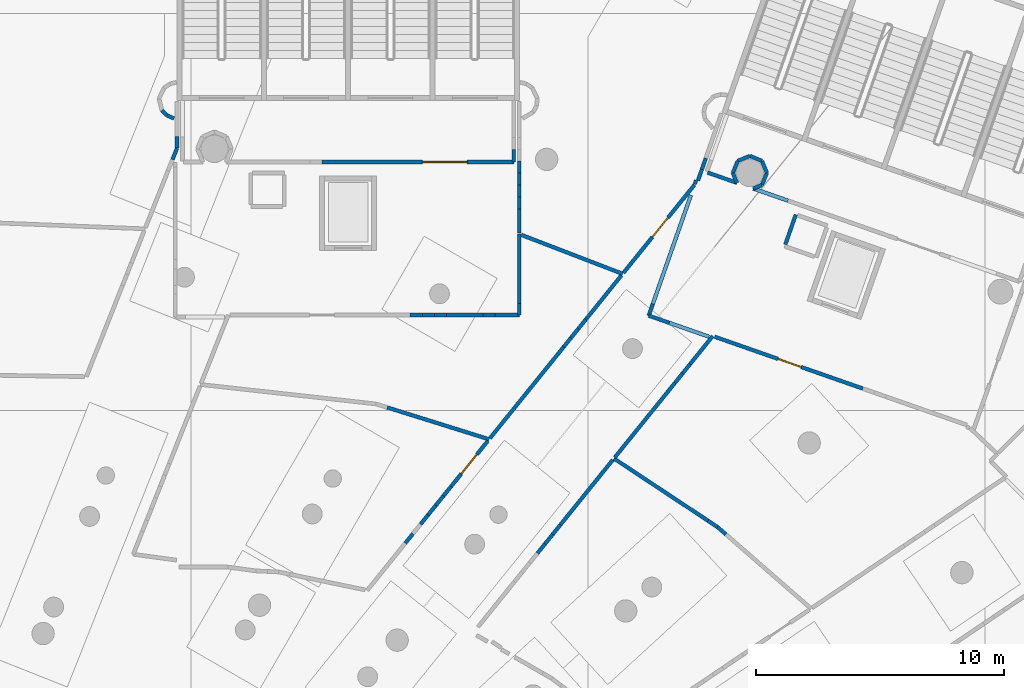
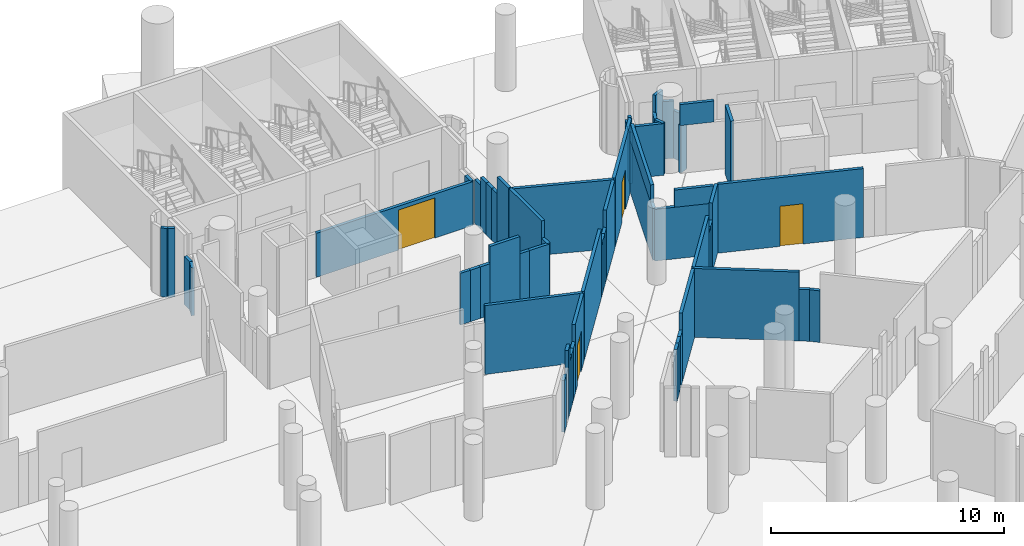
# One storey, part 90 of 142: 62 walls, 4 doors, 4 openings.
"""IFC4 building model written with IfcOpenShell, lengths in metres."""

import ifcopenshell
import ifcopenshell.guid

model = None  # the IFC model being written
_history = None  # IfcOwnerHistory: only IFC2X3 demands one
_inside = {}  # id of a spatial element -> (the spatial element, [elements in it])
_under = {}  # id of a project, library or spatial element -> (it, [spatial elements below it])
_declared = {}  # id of a project -> (the project, [libraries it declares])
_typed = {}  # id of a type object -> (the type object, [elements of that type])
_made_of = {}  # id of a material, layer set ... -> (it, [elements and type objects made of it])


def new_model(schema):
    """Start an empty IFC model of exactly this schema.

    Asked for "IFC4X3", IfcOpenShell would pick the latest addendum, in which some entities
    have other attributes; the version numbers below select the first issue.
    IFC2X3 requires an IfcOwnerHistory on every rooted entity: one is made here for all.
    """
    global model, _history
    if schema == "IFC4X3":
        model = ifcopenshell.file(schema_version=(4, 3, 0, 0))
    else:
        model = ifcopenshell.file(schema=schema)
    _inside.clear()
    _under.clear()
    _declared.clear()
    _typed.clear()
    _made_of.clear()
    _history = None
    if model.schema == "IFC2X3":
        org = make("IfcOrganization", Name="unknown")
        user = make(
            "IfcPersonAndOrganization",
            ThePerson=make("IfcPerson", FamilyName="unknown"),
            TheOrganization=org,
        )
        app = make(
            "IfcApplication",
            ApplicationDeveloper=org,
            Version="unknown",
            ApplicationFullName="unknown",
            ApplicationIdentifier="unknown",
        )
        _history = make(
            "IfcOwnerHistory",
            OwningUser=user,
            OwningApplication=app,
            ChangeAction="ADDED",
            CreationDate=0,
        )
    return model


def make(cls, **values):
    """One entity of the class cls with the attributes given. An attribute that is None is left unset."""
    return model.create_entity(
        cls, **{name: value for name, value in values.items() if value is not None}
    )


def rooted(cls, **values):
    """An entity with a GlobalId (a new one), such as an element, a storey or a relation."""
    return make(cls, GlobalId=ifcopenshell.guid.new(), OwnerHistory=_history, **values)


def si_unit(unit_type, name, prefix=None):
    """IfcSIUnit, for example si_unit("LENGTHUNIT", "METRE", prefix="MILLI")."""
    return make("IfcSIUnit", UnitType=unit_type, Prefix=prefix, Name=name)


def assignment(units):
    """IfcUnitAssignment: the units of a project."""
    return None if units is None else make("IfcUnitAssignment", Units=units)


def point(xyz):
    """IfcCartesianPoint."""
    return None if xyz is None else make("IfcCartesianPoint", Coordinates=xyz)


def direction(xyz):
    """IfcDirection."""
    return None if xyz is None else make("IfcDirection", DirectionRatios=xyz)


def frame(location, z_axis=None, x_axis=None):
    """IfcAxis2Placement3D, a coordinate frame: its origin and axes. An axis left out is left unset."""
    return make(
        "IfcAxis2Placement3D",
        Location=point(location),
        Axis=direction(z_axis),
        RefDirection=direction(x_axis),
    )


def frame_2d(location, x_axis=None):
    """IfcAxis2Placement2D, a coordinate frame in the plane: its origin and x axis."""
    return make(
        "IfcAxis2Placement2D", Location=point(location), RefDirection=direction(x_axis)
    )


def origin():
    """The frame at (0, 0, 0) with its axes left unset."""
    return frame((0.0, 0.0, 0.0))


def place(relative_to, where):
    """IfcLocalPlacement: puts the frame where relative to a parent placement (None: the world)."""
    return make(
        "IfcLocalPlacement", PlacementRelTo=relative_to, RelativePlacement=where
    )


def context(
    kind, dimensions, precision=None, world=None, true_north=None, identifier=None
):
    """IfcGeometricRepresentationContext, for example the 3D "Model" context."""
    return make(
        "IfcGeometricRepresentationContext",
        ContextIdentifier=identifier,
        ContextType=kind,
        CoordinateSpaceDimension=dimensions,
        Precision=precision,
        WorldCoordinateSystem=world,
        TrueNorth=true_north,
    )


def subcontext(parent, identifier, kind, view, scale=None):
    """IfcGeometricRepresentationSubContext, for example "Body" below "Model"."""
    return make(
        "IfcGeometricRepresentationSubContext",
        ContextIdentifier=identifier,
        ContextType=kind,
        ParentContext=parent,
        TargetScale=scale,
        TargetView=view,
    )


def project(units=None, contexts=None):
    """IfcProject with its units and contexts."""
    return rooted(
        "IfcProject",
        Name="project",
        RepresentationContexts=contexts,
        UnitsInContext=assignment(units),
    )


def spatial(cls, under=None, at=None, **own):
    """A site, building, storey or space (cls), placed at a placement, below another one or the project."""
    s = rooted(cls, ObjectPlacement=at, **own)
    if under is not None:
        _under.setdefault(under.id(), (under, []))[1].append(s)
    return s


def profile(cls, at=None, kind="AREA", **sizes):
    """A parametric profile (cls). Its sizes go by their IFC names, for example OverallWidth=200.0."""
    return make(cls, ProfileType=kind, Position=at, **sizes)


def rectangle(**sizes):
    """IfcRectangleProfileDef."""
    return profile("IfcRectangleProfileDef", **sizes)


def extrude(swept, where, along, depth):
    """IfcExtrudedAreaSolid: the profile swept, set in the frame where, extruded along a direction by depth."""
    return make(
        "IfcExtrudedAreaSolid",
        SweptArea=swept,
        Position=where,
        ExtrudedDirection=direction(along),
        Depth=depth,
    )


def shape(context_of_items, identifier, shape_type, items):
    """IfcShapeRepresentation: the items that make up one representation, for example the "Body"."""
    return make(
        "IfcShapeRepresentation",
        ContextOfItems=context_of_items,
        RepresentationIdentifier=identifier,
        RepresentationType=shape_type,
        Items=items,
    )


def material(Name=None, Category=None):
    """IfcMaterial."""
    return make("IfcMaterial", Name=Name, Category=Category)


def layer(
    of_material, thickness, ventilated=None, Name=None, Category=None, Priority=None
):
    """IfcMaterialLayer: one layer of a wall or slab, of a material (None: an air gap)."""
    return make(
        "IfcMaterialLayer",
        Material=of_material,
        LayerThickness=thickness,
        IsVentilated=ventilated,
        Name=Name,
        Category=Category,
        Priority=Priority,
    )


def layer_set(layers, Name=None):
    """IfcMaterialLayerSet."""
    return make("IfcMaterialLayerSet", MaterialLayers=layers, LayerSetName=Name)


def made_of(thing, what):
    """Note that an element or type object is made of a material, layer set ...; save() writes the relation."""
    if what is not None:
        _made_of.setdefault(what.id(), (what, []))[1].append(thing)
    return thing


def type_object(cls, material=None, **own):
    """A type object (cls), such as IfcWallType, which elements share."""
    return made_of(rooted(cls, **own), material)


def element(
    cls,
    number,
    at=None,
    inside=None,
    cuts=None,
    type_object=None,
    material=None,
    context=None,
    identifier="Body",
    shape_type=None,
    held_by="IfcProductDefinitionShape",
    body=None,
    shapes=None,
    **own,
):
    """One element of the class cls, such as IfcWall. Its Tag is "e" and its number.

    at: its placement. inside: the storey or other place that contains it. cuts: it is an
    opening in that element (IfcRelVoidsElement). A single representation is given by context,
    identifier, shape_type and body (its items); several are given by shapes. held_by: the class
    of the entity that holds the representations. save() writes the other relations.
    """
    e = rooted(cls, Tag="e%d" % number, ObjectPlacement=at, **own)
    if body is not None:
        shapes = [shape(context, identifier, shape_type, body)]
    if shapes is not None:
        e.Representation = make(held_by, Representations=shapes)
    if inside is not None:
        _inside.setdefault(inside.id(), (inside, []))[1].append(e)
    if cuts is not None:
        rooted(
            "IfcRelVoidsElement", RelatingBuildingElement=cuts, RelatedOpeningElement=e
        )
    if type_object is not None:
        _typed.setdefault(type_object.id(), (type_object, []))[1].append(e)
    return made_of(e, material)


def fill(opening, filler):
    """IfcRelFillsElement: the door or window that sits in an opening."""
    return rooted(
        "IfcRelFillsElement",
        RelatingOpeningElement=opening,
        RelatedBuildingElement=filler,
    )


def aggregate(whole, parts):
    """IfcRelAggregates: a whole, such as a stair, and the parts it consists of."""
    return rooted("IfcRelAggregates", RelatingObject=whole, RelatedObjects=parts)


def save(model, path):
    """Write the relations noted so far, then the file.

    IfcRelAggregates (storeys below a building ...), IfcRelContainedInSpatialStructure (elements
    in a storey), IfcRelDefinesByType, IfcRelAssociatesMaterial and IfcRelDeclares: one each for
    every whole, place, type object, material and project.
    """
    for whole, parts in _under.values():
        aggregate(whole, parts)
    for where, things in _inside.values():
        rooted(
            "IfcRelContainedInSpatialStructure",
            RelatedElements=things,
            RelatingStructure=where,
        )
    for kind, things in _typed.values():
        rooted("IfcRelDefinesByType", RelatedObjects=things, RelatingType=kind)
    for what, things in _made_of.values():
        rooted("IfcRelAssociatesMaterial", RelatedObjects=things, RelatingMaterial=what)
    for by, libraries in _declared.values():
        rooted("IfcRelDeclares", RelatingContext=by, RelatedDefinitions=libraries)
    model.write(path)


model = new_model("IFC4")

# Units and contexts
model_context = context("Model", 3, precision=1e-05, world=origin(), true_north=direction((0.0, 1.0)))
body_context = subcontext(model_context, "Body", "Model", "MODEL_VIEW")
ifc_project = project(units=[si_unit("LENGTHUNIT", "METRE"), si_unit("AREAUNIT", "SQUARE_METRE"), si_unit("VOLUMEUNIT", "CUBIC_METRE"), si_unit("PLANEANGLEUNIT", "RADIAN"), si_unit("MASSUNIT", "GRAM", prefix="KILO")], contexts=[model_context])

# Site, building, storey
site_placement = place(None, origin())
site = spatial("IfcSite", under=ifc_project, at=site_placement, CompositionType="ELEMENT")
building_placement = place(site_placement, origin())
building = spatial("IfcBuilding", under=site, at=building_placement, Name="Meseta Stadium", CompositionType="ELEMENT")
storey_placement = place(building_placement, frame((0.0, 0.0, -4.0)))
storey = spatial("IfcBuildingStorey", under=building, at=storey_placement, Name="B1", CompositionType="ELEMENT", Elevation=-4.0)

# Walls
ifc_material_1 = material(Name="Masonry blockwork", Category="masonry")
ifc_layer = layer(ifc_material_1, 0.14990234375)
ifc_layer_set = layer_set([ifc_layer], Name="Partition 150")
wall_type = type_object("IfcWallType", Name="Partition 150", PredefinedType="PARTITIONING", material=ifc_layer_set)
wall_1_placement = place(storey_placement, frame((49.044677734375, 78.07080078125, 0.0), z_axis=(0.0, 0.0, 1.0), x_axis=(0.8339449215, -0.551847685421, 0.0)))
element("IfcWall", 1, at=wall_1_placement, inside=storey, type_object=wall_type, Name="Partition B1 B1-cell06-1-0", PredefinedType="PARTITIONING", context=body_context, shape_type="SweptSolid", body=[
    extrude(rectangle(XDim=4.5478515625, YDim=0.14990234375, at=frame_2d((2.27392578125, 0.0))), origin(), (0.0, 0.0, 1.0), 3.60009765625),
])
for number, where, z_axis, x_axis, name in (
    (2, (52.83740234375, 75.56103515625, 0.0), (0.0, 0.0, 1.0), (0.83402663405, -0.551724182627, 0.0), "Partition B1 B1-cell06-1-0"),
    (3, (53.216796875, 75.31005859375, 0.0), (0.0, 0.0, 1.0), (0.754004426254, -0.656869336466, 0.0), "Partition B1 B1-cell06-1-0"),
):
    element("IfcWall", number, at=place(storey_placement, frame(where, z_axis=z_axis, x_axis=x_axis)), inside=storey, type_object=wall_type, Name=name, PredefinedType="PARTITIONING", context=body_context, shape_type="SweptSolid", body=[
        extrude(rectangle(XDim=0.454833984375, YDim=0.14990234375, at=frame_2d((0.2275390625, 0.0))), origin(), (0.0, 0.0, 1.0), 2.699951171875),
    ])
for number, where, z_axis, x_axis, name in (
    (4, (45.9609375, 74.25, 0.0), (0.0, 0.0, 1.0), (0.628024551218, 0.77819352546, 0.0), "Partition B1 B1-cell06-1-0"),
    (5, (46.269287109375, 74.632080078125, 0.0), (0.0, 0.0, 1.0), (0.628024551218, 0.77819352546, 0.0), "Partition B1 B1-cell06-1-0"),
    (6, (46.57763671875, 75.01416015625, 0.0), (0.0, 0.0, 1.0), (0.628024551218, 0.77819352546, 0.0), "Partition B1 B1-cell06-1-0"),
):
    element("IfcWall", number, at=place(storey_placement, frame(where, z_axis=z_axis, x_axis=x_axis)), inside=storey, type_object=wall_type, Name=name, PredefinedType="PARTITIONING", context=body_context, shape_type="SweptSolid", body=[
        extrude(rectangle(XDim=0.490966796875, YDim=0.14990234375, at=frame_2d((0.24560546875, 0.0))), origin(), (0.0, 0.0, 1.0), 2.699951171875),
    ])
wall_2_placement = place(storey_placement, frame((46.885986328125, 75.396240234375, 0.0), z_axis=(0.0, 0.0, 1.0), x_axis=(0.628054760776, 0.778169144509, 0.0)))
element("IfcWall", 7, at=wall_2_placement, inside=storey, type_object=wall_type, Name="Partition B1 B1-cell06-1-0", PredefinedType="PARTITIONING", context=body_context, shape_type="SweptSolid", body=[
    extrude(rectangle(XDim=3.361572265625, YDim=0.14990234375, at=frame_2d((1.6806640625, 0.0))), origin(), (0.0, 0.0, 1.0), 3.60009765625),
])
wall_3_placement = place(storey_placement, frame((49.076416015625, 78.110107421875, 0.0), z_axis=(0.0, 0.0, 1.0), x_axis=(0.62801256648, 0.778203197335, 0.0)))
element("IfcWall", 8, at=wall_3_placement, inside=storey, type_object=wall_type, Name="Partition B1 B1-cell06-2-0", PredefinedType="PARTITIONING", context=body_context, shape_type="SweptSolid", body=[
    extrude(rectangle(XDim=3.870361328125, YDim=0.14990234375, at=frame_2d((1.93505859375, 0.0))), origin(), (0.0, 0.0, 1.0), 3.60009765625),
])
wall_4_placement = place(storey_placement, frame((51.507080078125, 81.1220703125, 0.0), z_axis=(0.0, 0.0, 1.0), x_axis=(0.628196159022, 0.778055001777, 0.0)))
element("IfcWall", 9, at=wall_4_placement, inside=storey, type_object=wall_type, Name="Partition B1 B1-cell06-2-0", PredefinedType="PARTITIONING", context=body_context, shape_type="SweptSolid", body=[
    extrude(rectangle(XDim=0.48388671875, YDim=0.14990234375, at=frame_2d((0.241943359375, 0.0))), origin(), (0.0, 0.0, 1.0), 2.699951171875),
])
wall_5_placement = place(storey_placement, frame((51.81103515625, 81.49853515625, 0.0), z_axis=(0.0, 0.0, 1.0), x_axis=(0.627949602463, 0.778254005301, 0.0)))
element("IfcWall", 10, at=wall_5_placement, inside=storey, type_object=wall_type, Name="Partition B1 B1-cell06-2-0", PredefinedType="PARTITIONING", context=body_context, shape_type="SweptSolid", body=[
    extrude(rectangle(XDim=0.484130859375, YDim=0.14990234375, at=frame_2d((0.2421875, 0.0))), origin(), (0.0, 0.0, 1.0), 2.699951171875),
])
wall_6_placement = place(storey_placement, frame((52.114990234375, 81.875244140625, 0.0), z_axis=(0.0, 0.0, 1.0), x_axis=(0.628094324718, 0.778137211073, 0.0)))
element("IfcWall", 11, at=wall_6_placement, inside=storey, type_object=wall_type, Name="Partition B1 B1-cell06-2-0", PredefinedType="PARTITIONING", context=body_context, shape_type="SweptSolid", body=[
    extrude(rectangle(XDim=1.451416015625, YDim=0.14990234375, at=frame_2d((0.7255859375, 0.0))), origin(), (0.0, 0.0, 1.0), 3.60009765625),
])

# Wall, opening, door
wall_7_placement = place(storey_placement, frame((53.101806640625, 82.978515625, 0.0), z_axis=(0.0, 0.0, 1.0), x_axis=(0.943872187269, -0.33031090521, 0.0)))
wall_7 = element("IfcWall", 12, at=wall_7_placement, inside=storey, type_object=wall_type, Name="Partition B1 B1-cell06-2-0", PredefinedType="PARTITIONING", context=body_context, shape_type="SweptSolid", body=[
    extrude(rectangle(XDim=6.3291015625, YDim=0.14990234375, at=frame_2d((3.16455078125, 0.0))), origin(), (0.0, 0.0, 1.0), 3.60009765625),
])
opening_1_placement = place(wall_7_placement, frame((2.699951171875, 0.0, 0.0)))
opening_1 = element("IfcOpeningElement", 13, at=opening_1_placement, cuts=wall_7, Name="Opening D452", PredefinedType="OPENING", context=body_context, shape_type="SweptSolid", body=[
    extrude(rectangle(XDim=1.0, YDim=2.10009765625, at=frame_2d((0.5, 1.050048828125))), frame((0.0, 0.0849609375, 0.0), z_axis=(0.0, -1.0, 0.0), x_axis=(1.0, 0.0, 0.0)), (0.0, 0.0, 1.0), 0.169921875),
])
ifc_material_2 = material(Name="Steel", Category="steel")
door_type_1 = type_object("IfcDoorType", Name="Fire door 1000x2100 EI2 120", OperationType="NOTDEFINED", PredefinedType="DOOR", material=ifc_material_2)
door_1_placement = place(opening_1_placement, origin())
door_1 = element("IfcDoor", 14, at=door_1_placement, inside=storey, type_object=door_type_1, Name="Door D452", OperationType="SINGLE_SWING_RIGHT", OverallHeight=2.10009765625, OverallWidth=1.0, PredefinedType="DOOR", context=body_context, shape_type="SweptSolid", body=[
    extrude(rectangle(XDim=1.0, YDim=2.10009765625, at=frame_2d((0.5, 1.050048828125))), frame((0.0, 0.02490234375, 0.0), z_axis=(0.0, -1.0, 0.0), x_axis=(1.0, 0.0, 0.0)), (0.0, 0.0, 1.0), 0.050048828125),
])
fill(opening_1, door_1)

# Wall
wall_8_placement = place(storey_placement, frame((39.906982421875, 80.12744140625, 0.0), z_axis=(0.0, 0.0, 1.0), x_axis=(0.954509247754, -0.29818131389, 0.0)))
element("IfcWall", 15, at=wall_8_placement, inside=storey, type_object=wall_type, Name="Partition B1 B1-cell07-1-0", PredefinedType="PARTITIONING", context=body_context, shape_type="SweptSolid", body=[
    extrude(rectangle(XDim=4.303466796875, YDim=0.14990234375, at=frame_2d((2.15185546875, 0.0))), origin(), (0.0, 0.0, 1.0), 3.60009765625),
])

# Wall, opening, door
wall_9_placement = place(storey_placement, frame((43.964111328125, 78.781494140625, 0.0), z_axis=(0.0, 0.0, 1.0), x_axis=(-0.628039015817, -0.77818185189, 0.0)))
wall_9 = element("IfcWall", 16, at=wall_9_placement, inside=storey, type_object=wall_type, Name="Partition B1 B1-cell07-1-0", PredefinedType="PARTITIONING", context=body_context, shape_type="SweptSolid", body=[
    extrude(rectangle(XDim=2.3642578125, YDim=0.14990234375, at=frame_2d((1.18212890625, 0.0))), origin(), (0.0, 0.0, 1.0), 3.60009765625),
])
opening_2_placement = place(wall_9_placement, frame((0.699951171875, 0.0, 0.0)))
opening_2 = element("IfcOpeningElement", 17, at=opening_2_placement, cuts=wall_9, Name="Opening D454", PredefinedType="OPENING", context=body_context, shape_type="SweptSolid", body=[
    extrude(rectangle(XDim=1.0, YDim=2.10009765625, at=frame_2d((0.5, 1.050048828125))), frame((0.0, 0.0849609375, 0.0), z_axis=(0.0, -1.0, 0.0), x_axis=(1.0, 0.0, 0.0)), (0.0, 0.0, 1.0), 0.169921875),
])
ifc_material_3 = material(Name="Steel", Category="steel")
door_type_2 = type_object("IfcDoorType", Name="Fire door 1000x2100 EI2 60", OperationType="NOTDEFINED", PredefinedType="DOOR", material=ifc_material_3)
door_2_placement = place(opening_2_placement, origin())
door_2 = element("IfcDoor", 18, at=door_2_placement, inside=storey, type_object=door_type_2, Name="Door D454", OperationType="SINGLE_SWING_RIGHT", OverallHeight=2.10009765625, OverallWidth=1.0, PredefinedType="DOOR", context=body_context, shape_type="SweptSolid", body=[
    extrude(rectangle(XDim=1.0, YDim=2.10009765625, at=frame_2d((0.5, 1.050048828125))), frame((0.0, 0.02490234375, 0.0), z_axis=(0.0, -1.0, 0.0), x_axis=(1.0, 0.0, 0.0)), (0.0, 0.0, 1.0), 0.050048828125),
])
fill(opening_2, door_2)

# Walls
wall_10_placement = place(storey_placement, frame((42.479248046875, 76.941650390625, 0.0), z_axis=(0.0, 0.0, 1.0), x_axis=(-0.628220861068, -0.778035056871, 0.0)))
element("IfcWall", 19, at=wall_10_placement, inside=storey, type_object=wall_type, Name="Partition B1 B1-cell07-1-0", PredefinedType="PARTITIONING", context=body_context, shape_type="SweptSolid", body=[
    extrude(rectangle(XDim=0.48876953125, YDim=0.14990234375, at=frame_2d((0.244384765625, 0.0))), origin(), (0.0, 0.0, 1.0), 2.699951171875),
])
wall_11_placement = place(storey_placement, frame((42.172119140625, 76.561279296875, 0.0), z_axis=(0.0, 0.0, 1.0), x_axis=(-0.627976838784, -0.77823202835, 0.0)))
element("IfcWall", 20, at=wall_11_placement, inside=storey, type_object=wall_type, Name="Partition B1 B1-cell07-1-0", PredefinedType="PARTITIONING", context=body_context, shape_type="SweptSolid", body=[
    extrude(rectangle(XDim=0.489013671875, YDim=0.14990234375, at=frame_2d((0.24462890625, 0.0))), origin(), (0.0, 0.0, 1.0), 2.699951171875),
])
wall_12_placement = place(storey_placement, frame((41.864990234375, 76.1806640625, 0.0), z_axis=(0.0, 0.0, 1.0), x_axis=(-0.628220861068, -0.778035056871, 0.0)))
element("IfcWall", 21, at=wall_12_placement, inside=storey, type_object=wall_type, Name="Partition B1 B1-cell07-1-0", PredefinedType="PARTITIONING", context=body_context, shape_type="SweptSolid", body=[
    extrude(rectangle(XDim=0.48876953125, YDim=0.14990234375, at=frame_2d((0.244384765625, 0.0))), origin(), (0.0, 0.0, 1.0), 2.699951171875),
])
wall_13_placement = place(storey_placement, frame((41.557861328125, 75.80029296875, 0.0), z_axis=(0.0, 0.0, 1.0), x_axis=(-0.627976838784, -0.77823202835, 0.0)))
element("IfcWall", 22, at=wall_13_placement, inside=storey, type_object=wall_type, Name="Partition B1 B1-cell07-1-0", PredefinedType="PARTITIONING", context=body_context, shape_type="SweptSolid", body=[
    extrude(rectangle(XDim=0.489013671875, YDim=0.14990234375, at=frame_2d((0.24462890625, 0.0))), origin(), (0.0, 0.0, 1.0), 3.60009765625),
])
wall_14_placement = place(storey_placement, frame((40.94384765625, 75.039306640625, 0.0), z_axis=(0.0, 0.0, 1.0), x_axis=(-0.627976838784, -0.77823202835, 0.0)))
element("IfcWall", 23, at=wall_14_placement, inside=storey, type_object=wall_type, Name="Partition B1 B1-cell07-1-0", PredefinedType="PARTITIONING", context=body_context, shape_type="SweptSolid", body=[
    extrude(rectangle(XDim=0.489013671875, YDim=0.14990234375, at=frame_2d((0.24462890625, 0.0))), origin(), (0.0, 0.0, 1.0), 2.699951171875),
])
wall_15_placement = place(storey_placement, frame((40.832763671875, 83.85107421875, 0.0), z_axis=(0.0, 0.0, 1.0), x_axis=(1.0, 0.0, 0.0)))
element("IfcWall", 24, at=wall_15_placement, inside=storey, type_object=wall_type, Name="Partition B1 B1-cell07-2-0", PredefinedType="PARTITIONING", context=body_context, shape_type="SweptSolid", body=[
    extrude(rectangle(XDim=0.48876953125, YDim=0.14990234375, at=frame_2d((0.244384765625, 0.0))), origin(), (0.0, 0.0, 1.0), 2.699951171875),
])
for number, where, z_axis, x_axis, name in (
    (25, (41.321533203125, 83.85107421875, 0.0), (0.0, 0.0, 1.0), (1.0, 0.0, 0.0), "Partition B1 B1-cell07-2-0"),
    (26, (41.810546875, 83.85107421875, 0.0), (0.0, 0.0, 1.0), (1.0, 0.0, 0.0), "Partition B1 B1-cell07-2-0"),
):
    element("IfcWall", number, at=place(storey_placement, frame(where, z_axis=z_axis, x_axis=x_axis)), inside=storey, type_object=wall_type, Name=name, PredefinedType="PARTITIONING", context=body_context, shape_type="SweptSolid", body=[
        extrude(rectangle(XDim=0.489013671875, YDim=0.14990234375, at=frame_2d((0.24462890625, 0.0))), origin(), (0.0, 0.0, 1.0), 2.699951171875),
    ])
wall_16_placement = place(storey_placement, frame((42.299560546875, 83.85107421875, 0.0), z_axis=(0.0, 0.0, 1.0), x_axis=(1.0, 0.0, 0.0)))
element("IfcWall", 27, at=wall_16_placement, inside=storey, type_object=wall_type, Name="Partition B1 B1-cell07-2-0", PredefinedType="PARTITIONING", context=body_context, shape_type="SweptSolid", body=[
    extrude(rectangle(XDim=1.467041015625, YDim=0.14990234375, at=frame_2d((0.7333984375, 0.0))), origin(), (0.0, 0.0, 1.0), 3.60009765625),
])
wall_17_placement = place(storey_placement, frame((43.7666015625, 83.85107421875, 0.0), z_axis=(0.0, 0.0, 1.0), x_axis=(1.0, 0.0, 0.0)))
element("IfcWall", 28, at=wall_17_placement, inside=storey, type_object=wall_type, Name="Partition B1 B1-cell07-2-0", PredefinedType="PARTITIONING", context=body_context, shape_type="SweptSolid", body=[
    extrude(rectangle(XDim=0.48876953125, YDim=0.14990234375, at=frame_2d((0.244384765625, 0.0))), origin(), (0.0, 0.0, 1.0), 2.699951171875),
])
wall_18_placement = place(storey_placement, frame((44.25537109375, 83.85107421875, 0.0), z_axis=(0.0, 0.0, 1.0), x_axis=(1.0, 0.0, 0.0)))
element("IfcWall", 29, at=wall_18_placement, inside=storey, type_object=wall_type, Name="Partition B1 B1-cell07-2-0", PredefinedType="PARTITIONING", context=body_context, shape_type="SweptSolid", body=[
    extrude(rectangle(XDim=0.97802734375, YDim=0.14990234375, at=frame_2d((0.489013671875, 0.0))), origin(), (0.0, 0.0, 1.0), 2.699951171875),
])
wall_19_placement = place(storey_placement, frame((45.2333984375, 83.85107421875, 0.0), z_axis=(0.0, 0.0, 1.0), x_axis=(0.0, 1.0, 0.0)))
element("IfcWall", 30, at=wall_19_placement, inside=storey, type_object=wall_type, Name="Partition B1 B1-cell07-2-0", PredefinedType="PARTITIONING", context=body_context, shape_type="SweptSolid", body=[
    extrude(rectangle(XDim=0.466064453125, YDim=0.14990234375, at=frame_2d((0.23291015625, 0.0))), origin(), (0.0, 0.0, 1.0), 2.699951171875),
])
wall_20_placement = place(storey_placement, frame((45.2333984375, 84.317138671875, 0.0), z_axis=(0.0, 0.0, 1.0), x_axis=(0.0, 1.0, 0.0)))
element("IfcWall", 31, at=wall_20_placement, inside=storey, type_object=wall_type, Name="Partition B1 B1-cell07-2-0", PredefinedType="PARTITIONING", context=body_context, shape_type="SweptSolid", body=[
    extrude(rectangle(XDim=2.796875, YDim=0.14990234375, at=frame_2d((1.3984375, 0.0))), origin(), (0.0, 0.0, 1.0), 3.60009765625),
])
wall_21_placement = place(storey_placement, frame((45.308349609375, 87.085205078125, 0.0), z_axis=(0.0, 0.0, 1.0), x_axis=(0.933326928839, -0.359027636685, 0.0)))
element("IfcWall", 32, at=wall_21_placement, inside=storey, type_object=wall_type, Name="Partition B1 B1-cell07-2-0", PredefinedType="PARTITIONING", context=body_context, shape_type="SweptSolid", body=[
    extrude(rectangle(XDim=4.3798828125, YDim=0.14990234375, at=frame_2d((2.18994140625, 0.0))), origin(), (0.0, 0.0, 1.0), 3.60009765625),
])
wall_22_placement = place(storey_placement, frame((49.3466796875, 85.451416015625, 0.0), z_axis=(0.0, 0.0, 1.0), x_axis=(-0.627969375808, -0.778238050372, 0.0)))
element("IfcWall", 33, at=wall_22_placement, inside=storey, type_object=wall_type, Name="Partition B1 B1-cell07-2-0", PredefinedType="PARTITIONING", context=body_context, shape_type="SweptSolid", body=[
    extrude(rectangle(XDim=2.28759765625, YDim=0.14990234375, at=frame_2d((1.143798828125, 0.0))), origin(), (0.0, 0.0, 1.0), 3.60009765625),
])
wall_23_placement = place(storey_placement, frame((47.91015625, 83.671142578125, 0.0), z_axis=(0.0, 0.0, 1.0), x_axis=(-0.628085010229, -0.778144729421, 0.0)))
element("IfcWall", 34, at=wall_23_placement, inside=storey, type_object=wall_type, Name="Partition B1 B1-cell07-2-0", PredefinedType="PARTITIONING", context=body_context, shape_type="SweptSolid", body=[
    extrude(rectangle(XDim=0.473388671875, YDim=0.14990234375, at=frame_2d((0.23681640625, 0.0))), origin(), (0.0, 0.0, 1.0), 2.699951171875),
])
wall_24_placement = place(storey_placement, frame((47.61279296875, 83.302734375, 0.0), z_axis=(0.0, 0.0, 1.0), x_axis=(-0.628024750904, -0.778193364308, 0.0)))
element("IfcWall", 35, at=wall_24_placement, inside=storey, type_object=wall_type, Name="Partition B1 B1-cell07-2-0", PredefinedType="PARTITIONING", context=body_context, shape_type="SweptSolid", body=[
    extrude(rectangle(XDim=0.47314453125, YDim=0.14990234375, at=frame_2d((0.236572265625, 0.0))), origin(), (0.0, 0.0, 1.0), 2.699951171875),
])
wall_25_placement = place(storey_placement, frame((47.315673828125, 82.9345703125, 0.0), z_axis=(0.0, 0.0, 1.0), x_axis=(-0.628085010229, -0.778144729421, 0.0)))
element("IfcWall", 36, at=wall_25_placement, inside=storey, type_object=wall_type, Name="Partition B1 B1-cell07-2-0", PredefinedType="PARTITIONING", context=body_context, shape_type="SweptSolid", body=[
    extrude(rectangle(XDim=0.473388671875, YDim=0.14990234375, at=frame_2d((0.23681640625, 0.0))), origin(), (0.0, 0.0, 1.0), 2.699951171875),
])
wall_26_placement = place(storey_placement, frame((47.018310546875, 82.566162109375, 0.0), z_axis=(0.0, 0.0, 1.0), x_axis=(-0.628029681061, -0.778189385501, 0.0)))
element("IfcWall", 37, at=wall_26_placement, inside=storey, type_object=wall_type, Name="Partition B1 B1-cell07-2-0", PredefinedType="PARTITIONING", context=body_context, shape_type="SweptSolid", body=[
    extrude(rectangle(XDim=4.73291015625, YDim=0.14990234375, at=frame_2d((2.366455078125, 0.0))), origin(), (0.0, 0.0, 1.0), 3.60009765625),
])
wall_27_placement = place(storey_placement, frame((45.2333984375, 87.1640625, 0.0), z_axis=(0.0, 0.0, 1.0), x_axis=(0.0, 1.0, 0.0)))
element("IfcWall", 38, at=wall_27_placement, inside=storey, type_object=wall_type, Name="Partition B1 B1-cell07-3-0", PredefinedType="PARTITIONING", context=body_context, shape_type="SweptSolid", body=[
    extrude(rectangle(XDim=0.962890625, YDim=0.14990234375, at=frame_2d((0.4814453125, 0.0))), origin(), (0.0, 0.0, 1.0), 3.60009765625),
])
for number, where, z_axis, x_axis, name in (
    (39, (45.2333984375, 88.126953125, 0.0), (0.0, 0.0, 1.0), (0.0, 1.0, 0.0), "Partition B1 B1-cell07-3-0"),
    (40, (45.2333984375, 88.6083984375, 0.0), (0.0, 0.0, 1.0), (0.0, 1.0, 0.0), "Partition B1 B1-cell07-3-0"),
    (41, (45.2333984375, 89.08984375, 0.0), (0.0, 0.0, 1.0), (0.0, 1.0, 0.0), "Partition B1 B1-cell07-3-0"),
):
    element("IfcWall", number, at=place(storey_placement, frame(where, z_axis=z_axis, x_axis=x_axis)), inside=storey, type_object=wall_type, Name=name, PredefinedType="PARTITIONING", context=body_context, shape_type="SweptSolid", body=[
        extrude(rectangle(XDim=0.4814453125, YDim=0.14990234375, at=frame_2d((0.24072265625, 0.0))), origin(), (0.0, 0.0, 1.0), 2.699951171875),
    ])
wall_28_placement = place(storey_placement, frame((45.2333984375, 89.5712890625, 0.0), z_axis=(0.0, 0.0, 1.0), x_axis=(0.0, 1.0, 0.0)))
element("IfcWall", 42, at=wall_28_placement, inside=storey, type_object=wall_type, Name="Partition B1 B1-cell07-3-0", PredefinedType="PARTITIONING", context=body_context, shape_type="SweptSolid", body=[
    extrude(rectangle(XDim=0.4814453125, YDim=0.14990234375, at=frame_2d((0.24072265625, 0.0))), origin(), (0.0, 0.0, 1.0), 2.300048828125),
])
wall_29_placement = place(storey_placement, frame((52.748046875, 90.176025390625, 0.0), z_axis=(0.0, 0.0, 1.0), x_axis=(-0.330464354332, -0.943818473286, 0.0)))
element("IfcWall", 43, at=wall_29_placement, inside=storey, type_object=wall_type, Name="Partition B1 B1-cell07-3-0", PredefinedType="PARTITIONING", context=body_context, shape_type="SweptSolid", body=[
    extrude(rectangle(XDim=0.477294921875, YDim=0.14990234375, at=frame_2d((0.23876953125, 0.0))), origin(), (0.0, 0.0, 1.0), 2.699951171875),
])
wall_30_placement = place(storey_placement, frame((52.59033203125, 89.7255859375, 0.0), z_axis=(0.0, 0.0, 1.0), x_axis=(-0.330304873532, -0.943874298051, 0.0)))
element("IfcWall", 44, at=wall_30_placement, inside=storey, type_object=wall_type, Name="Partition B1 B1-cell07-3-0", PredefinedType="PARTITIONING", context=body_context, shape_type="SweptSolid", body=[
    extrude(rectangle(XDim=0.4775390625, YDim=0.14990234375, at=frame_2d((0.23876953125, 0.0))), origin(), (0.0, 0.0, 1.0), 2.699951171875),
])

# Wall, opening, door
wall_31_placement = place(storey_placement, frame((52.29248046875, 89.10107421875, 0.0), z_axis=(0.0, 0.0, 1.0), x_axis=(-0.628044288781, -0.778177596266, 0.0)))
wall_31 = element("IfcWall", 45, at=wall_31_placement, inside=storey, type_object=wall_type, Name="Partition B1 B1-cell07-3-0", PredefinedType="PARTITIONING", context=body_context, shape_type="SweptSolid", body=[
    extrude(rectangle(XDim=4.561279296875, YDim=0.14990234375, at=frame_2d((2.28076171875, 0.0))), origin(), (0.0, 0.0, 1.0), 3.60009765625),
])
opening_3_placement = place(wall_31_placement, frame((1.699951171875, 0.0, 0.0)))
opening_3 = element("IfcOpeningElement", 46, at=opening_3_placement, cuts=wall_31, Name="Opening D456", PredefinedType="OPENING", context=body_context, shape_type="SweptSolid", body=[
    extrude(rectangle(XDim=1.0, YDim=2.10009765625, at=frame_2d((0.5, 1.050048828125))), frame((0.0, 0.0849609375, 0.0), z_axis=(0.0, -1.0, 0.0), x_axis=(1.0, 0.0, 0.0)), (0.0, 0.0, 1.0), 0.169921875),
])
door_3_placement = place(opening_3_placement, origin())
door_3 = element("IfcDoor", 47, at=door_3_placement, inside=storey, type_object=door_type_2, Name="Door D456", OperationType="SINGLE_SWING_LEFT", OverallHeight=2.10009765625, OverallWidth=1.0, PredefinedType="DOOR", context=body_context, shape_type="SweptSolid", body=[
    extrude(rectangle(XDim=1.0, YDim=2.10009765625, at=frame_2d((0.5, 1.050048828125))), frame((0.0, 0.02490234375, 0.0), z_axis=(0.0, -1.0, 0.0), x_axis=(1.0, 0.0, 0.0)), (0.0, 0.0, 1.0), 0.050048828125),
])
fill(opening_3, door_3)

# Walls
wall_32_placement = place(storey_placement, frame((31.433349609375, 91.04736328125, 0.0), z_axis=(0.0, 0.0, 1.0), x_axis=(0.0, -1.0, 0.0)))
element("IfcWall", 48, at=wall_32_placement, inside=storey, type_object=wall_type, Name="Partition B1 B1-cell08-2-0", PredefinedType="PARTITIONING", context=body_context, shape_type="SweptSolid", body=[
    extrude(rectangle(XDim=0.470703125, YDim=0.14990234375, at=frame_2d((0.2353515625, 0.0))), origin(), (0.0, 0.0, 1.0), 2.5),
])
wall_33_placement = place(storey_placement, frame((31.433349609375, 90.57666015625, 0.0), z_axis=(0.0, 0.0, 1.0), x_axis=(-0.368825125467, -0.9294988041, 0.0)))
element("IfcWall", 49, at=wall_33_placement, inside=storey, type_object=wall_type, Name="Partition B1 B1-cell08-2-0", PredefinedType="PARTITIONING", context=body_context, shape_type="SweptSolid", body=[
    extrude(rectangle(XDim=0.492431640625, YDim=0.14990234375, at=frame_2d((0.24609375, 0.0))), origin(), (0.0, 0.0, 1.0), 2.5),
])
wall_34_placement = place(storey_placement, frame((56.374267578125, 87.898681640625, 0.0), z_axis=(0.0, 0.0, 1.0), x_axis=(-0.330324835387, -0.943867312246, 0.0)))
element("IfcWall", 50, at=wall_34_placement, inside=storey, type_object=wall_type, Name="Pressurisation shaft wall B1 core 08", PredefinedType="PARTITIONING", context=body_context, shape_type="SweptSolid", body=[
    extrude(rectangle(XDim=1.27490234375, YDim=0.14990234375, at=frame_2d((0.637451171875, 0.0))), origin(), (0.0, 0.0, 1.0), 3.60009765625),
])
wall_35_placement = place(storey_placement, frame((52.81982421875, 89.594482421875, 0.0), z_axis=(0.0, 0.0, 1.0), x_axis=(0.943879632431, -0.330289629692, 0.0)))
element("IfcWall", 51, at=wall_35_placement, inside=storey, type_object=wall_type, Name="Stair vestibule wall B1 core 08", PredefinedType="PARTITIONING", context=body_context, shape_type="SweptSolid", body=[
    extrude(rectangle(XDim=1.252197265625, YDim=0.14990234375, at=frame_2d((0.6259765625, 0.0))), origin(), (0.0, 0.0, 1.0), 2.699951171875),
])
wall_36_placement = place(storey_placement, frame((54.001708984375, 89.180908203125, 0.0), z_axis=(0.0, 0.0, 1.0), x_axis=(-0.38220175248, 0.924078903774, 0.0)))
element("IfcWall", 52, at=wall_36_placement, inside=storey, type_object=wall_type, Name="Stair vestibule wall B1 core 08", PredefinedType="PARTITIONING", context=body_context, shape_type="SweptSolid", body=[
    extrude(rectangle(XDim=0.43115234375, YDim=0.14990234375, at=frame_2d((0.215576171875, 0.0))), origin(), (0.0, 0.0, 1.0), 2.699951171875),
])
wall_37_placement = place(storey_placement, frame((53.8369140625, 89.579345703125, 0.0), z_axis=(0.0, 0.0, 1.0), x_axis=(0.382269640564, 0.924050822143, 0.0)))
element("IfcWall", 53, at=wall_37_placement, inside=storey, type_object=wall_type, Name="Stair vestibule wall B1 core 08", PredefinedType="PARTITIONING", context=body_context, shape_type="SweptSolid", body=[
    extrude(rectangle(XDim=0.52490234375, YDim=0.14990234375, at=frame_2d((0.262451171875, 0.0))), origin(), (0.0, 0.0, 1.0), 2.699951171875),
])
wall_38_placement = place(storey_placement, frame((54.03759765625, 90.064453125, 0.0), z_axis=(0.0, 0.0, 1.0), x_axis=(0.923926306398, 0.382570490689, 0.0)))
element("IfcWall", 54, at=wall_38_placement, inside=storey, type_object=wall_type, Name="Stair vestibule wall B1 core 08", PredefinedType="PARTITIONING", context=body_context, shape_type="SweptSolid", body=[
    extrude(rectangle(XDim=0.52587890625, YDim=0.14990234375, at=frame_2d((0.262939453125, 0.0))), origin(), (0.0, 0.0, 1.0), 3.60009765625),
])
wall_39_placement = place(storey_placement, frame((54.5234375, 90.265625, 0.0), z_axis=(0.0, 0.0, 1.0), x_axis=(0.923886494024, -0.382666625355, 0.0)))
element("IfcWall", 55, at=wall_39_placement, inside=storey, type_object=wall_type, Name="Stair vestibule wall B1 core 08", PredefinedType="PARTITIONING", context=body_context, shape_type="SweptSolid", body=[
    extrude(rectangle(XDim=0.525146484375, YDim=0.14990234375, at=frame_2d((0.2626953125, 0.0))), origin(), (0.0, 0.0, 1.0), 3.0),
])
wall_40_placement = place(storey_placement, frame((55.008544921875, 90.064697265625, 0.0), z_axis=(0.0, 0.0, 1.0), x_axis=(0.3830633983, -0.923722053911, 0.0)))
element("IfcWall", 56, at=wall_40_placement, inside=storey, type_object=wall_type, Name="Stair vestibule wall B1 core 08", PredefinedType="PARTITIONING", context=body_context, shape_type="SweptSolid", body=[
    extrude(rectangle(XDim=0.525146484375, YDim=0.14990234375, at=frame_2d((0.2626953125, 0.0))), origin(), (0.0, 0.0, 1.0), 2.5),
])
wall_41_placement = place(storey_placement, frame((55.209716796875, 89.57958984375, 0.0), z_axis=(0.0, 0.0, 1.0), x_axis=(-0.382338115096, -0.924022492012, 0.0)))
element("IfcWall", 57, at=wall_41_placement, inside=storey, type_object=wall_type, Name="Stair vestibule wall B1 core 08", PredefinedType="PARTITIONING", context=body_context, shape_type="SweptSolid", body=[
    extrude(rectangle(XDim=0.525634765625, YDim=0.14990234375, at=frame_2d((0.2626953125, 0.0))), origin(), (0.0, 0.0, 1.0), 2.5),
])
wall_42_placement = place(storey_placement, frame((55.0087890625, 89.093994140625, 0.0), z_axis=(0.0, 0.0, 1.0), x_axis=(-0.923652404935, -0.383231307252, 0.0)))
element("IfcWall", 58, at=wall_42_placement, inside=storey, type_object=wall_type, Name="Stair vestibule wall B1 core 08", PredefinedType="PARTITIONING", context=body_context, shape_type="SweptSolid", body=[
    extrude(rectangle(XDim=0.3759765625, YDim=0.14990234375, at=frame_2d((0.18798828125, 0.0))), origin(), (0.0, 0.0, 1.0), 2.5),
])
wall_43_placement = place(storey_placement, frame((54.66162109375, 88.949951171875, 2.5), z_axis=(0.0, 0.0, 1.0), x_axis=(0.94390199942, -0.330225703863, 0.0)))
element("IfcWall", 59, at=wall_43_placement, inside=storey, type_object=wall_type, Name="Stair vestibule wall B1 core 08", PredefinedType="PARTITIONING", context=body_context, shape_type="SweptSolid", body=[
    extrude(rectangle(XDim=1.482421875, YDim=0.14990234375, at=frame_2d((0.7412109375, 0.0))), origin(), (0.0, 0.0, 1.0), 1.10009765625),
])
wall_44_placement = place(storey_placement, frame((52.3583984375, 89.290283203125, 0.0), z_axis=(0.0, 0.0, 1.0), x_axis=(-0.329226922138, -0.944250832004, 0.0)))
element("IfcWall", 60, at=wall_44_placement, inside=storey, type_object=wall_type, Name="Stair vestibule wall B1 core 08", PredefinedType="PARTITIONING", context=body_context, shape_type="SweptSolid", body=[
    extrude(rectangle(XDim=0.17431640625, YDim=0.14990234375, at=frame_2d((0.087158203125, 0.0))), origin(), (0.0, 0.0, 1.0), 3.60009765625),
])
wall_45_placement = place(storey_placement, frame((52.148681640625, 88.6904296875, 0.0), z_axis=(0.0, 0.0, 1.0), x_axis=(-0.330310316835, -0.943872393172, 0.0)))
element("IfcWall", 61, at=wall_45_placement, inside=storey, type_object=wall_type, Name="Stair vestibule wall B1 core 08", PredefinedType="PARTITIONING", context=body_context, shape_type="SweptSolid", body=[
    extrude(rectangle(XDim=5.151611328125, YDim=0.14990234375, at=frame_2d((2.57568359375, 0.0))), origin(), (0.0, 0.0, 1.0), 2.699951171875),
])
wall_46_placement = place(storey_placement, frame((52.148681640625, 88.6904296875, 2.699951171875), z_axis=(0.0, 0.0, 1.0), x_axis=(-0.330306037841, -0.943873890605, 0.0)))
element("IfcWall", 62, at=wall_46_placement, inside=storey, type_object=wall_type, Name="Stair vestibule wall B1 core 08", PredefinedType="PARTITIONING", context=body_context, shape_type="SweptSolid", body=[
    extrude(rectangle(XDim=4.655029296875, YDim=0.14990234375, at=frame_2d((2.32763671875, 0.0))), origin(), (0.0, 0.0, 1.0), 0.900146484375),
])
wall_47_placement = place(storey_placement, frame((50.447021484375, 83.827880859375, 0.0), z_axis=(0.0, 0.0, 1.0), x_axis=(0.943880549239, -0.330287009688, 0.0)))
element("IfcWall", 63, at=wall_47_placement, inside=storey, type_object=wall_type, Name="Stair vestibule wall B1 core 08", PredefinedType="PARTITIONING", context=body_context, shape_type="SweptSolid", body=[
    extrude(rectangle(XDim=2.572265625, YDim=0.14990234375, at=frame_2d((1.2861328125, 0.0))), origin(), (0.0, 0.0, 1.0), 2.699951171875),
])
wall_48_placement = place(storey_placement, frame((51.26953125, 83.5400390625, 2.699951171875), z_axis=(0.0, 0.0, 1.0), x_axis=(0.943885206094, -0.33027370122, 0.0)))
element("IfcWall", 64, at=wall_48_placement, inside=storey, type_object=wall_type, Name="Stair vestibule wall B1 core 08", PredefinedType="PARTITIONING", context=body_context, shape_type="SweptSolid", body=[
    extrude(rectangle(XDim=1.700927734375, YDim=0.14990234375, at=frame_2d((0.8505859375, 0.0))), origin(), (0.0, 0.0, 1.0), 0.900146484375),
])

# Wall, opening, door
wall_49_placement = place(storey_placement, frame((37.27783203125, 90.02490234375, 0.0), z_axis=(0.0, 0.0, 1.0), x_axis=(1.0, 0.0, 0.0)))
wall_49 = element("IfcWall", 65, at=wall_49_placement, inside=storey, type_object=wall_type, Name="Stair vestibule wall B1 core 09", PredefinedType="PARTITIONING", context=body_context, shape_type="SweptSolid", body=[
    extrude(rectangle(XDim=7.73046875, YDim=0.14990234375, at=frame_2d((3.865234375, 0.0))), origin(), (0.0, 0.0, 1.0), 2.300048828125),
])
opening_4_placement = place(wall_49_placement, frame((4.050048828125, 0.0, 0.0)))
opening_4 = element("IfcOpeningElement", 66, at=opening_4_placement, cuts=wall_49, Name="Opening D722", PredefinedType="OPENING", context=body_context, shape_type="SweptSolid", body=[
    extrude(rectangle(XDim=1.800048828125, YDim=2.10009765625, at=frame_2d((0.89990234375, 1.050048828125))), frame((0.0, 0.0849609375, 0.0), z_axis=(0.0, -1.0, 0.0), x_axis=(1.0, 0.0, 0.0)), (0.0, 0.0, 1.0), 0.169921875),
])
ifc_material_4 = material(Name="Steel", Category="steel")
door_type_3 = type_object("IfcDoorType", Name="Fire double door 1800x2100 EI2 60", OperationType="DOUBLE_DOOR_SINGLE_SWING", PredefinedType="DOOR", material=ifc_material_4)
door_4_placement = place(opening_4_placement, origin())
door_4 = element("IfcDoor", 67, at=door_4_placement, inside=storey, type_object=door_type_3, Name="Stair vestibule door B1 core 09", OperationType="DOUBLE_DOOR_SINGLE_SWING", OverallHeight=2.10009765625, OverallWidth=1.800048828125, PredefinedType="DOOR", context=body_context, shape_type="SweptSolid", body=[
    extrude(rectangle(XDim=1.800048828125, YDim=2.10009765625, at=frame_2d((0.89990234375, 1.050048828125))), frame((0.0, 0.02490234375, 0.0), z_axis=(0.0, -1.0, 0.0), x_axis=(1.0, 0.0, 0.0)), (0.0, 0.0, 1.0), 0.050048828125),
])
fill(opening_4, door_4)

# Walls
wall_50_placement = place(storey_placement, frame((45.00830078125, 90.02490234375, 0.0), z_axis=(0.0, 0.0, 1.0), x_axis=(0.0, 1.0, 0.0)))
element("IfcWall", 68, at=wall_50_placement, inside=storey, type_object=wall_type, Name="Stair vestibule wall B1 core 09", PredefinedType="PARTITIONING", context=body_context, shape_type="SweptSolid", body=[
    extrude(rectangle(XDim=0.4931640625, YDim=0.14990234375, at=frame_2d((0.24658203125, 0.0))), origin(), (0.0, 0.0, 1.0), 2.300048828125),
])
wall_51_placement = place(storey_placement, frame((30.8251953125, 92.1005859375, 0.0), z_axis=(0.0, 0.0, 1.0), x_axis=(0.707106781187, -0.707106781187, 0.0)))
element("IfcWall", 69, at=wall_51_placement, inside=storey, type_object=wall_type, Name="Stair vestibule wall B1 core 09", PredefinedType="PARTITIONING", context=body_context, shape_type="SweptSolid", body=[
    extrude(rectangle(XDim=0.289306640625, YDim=0.14990234375, at=frame_2d((0.14453125, 0.0))), origin(), (0.0, 0.0, 1.0), 3.60009765625),
])
wall_52_placement = place(storey_placement, frame((31.02978515625, 91.89599609375, 0.0), z_axis=(0.0, 0.0, 1.0), x_axis=(0.923707957869, -0.383097387839, 0.0)))
element("IfcWall", 70, at=wall_52_placement, inside=storey, type_object=wall_type, Name="Stair vestibule wall B1 core 09", PredefinedType="PARTITIONING", context=body_context, shape_type="SweptSolid", body=[
    extrude(rectangle(XDim=0.308349609375, YDim=0.14990234375, at=frame_2d((0.154296875, 0.0))), origin(), (0.0, 0.0, 1.0), 3.60009765625),
])

save(model, "model.ifc")
